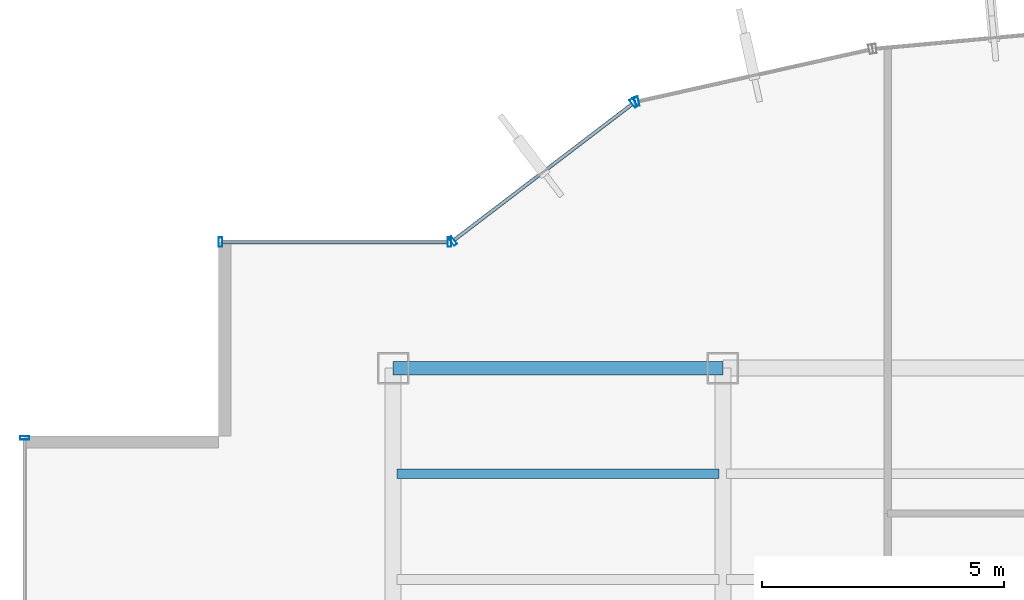
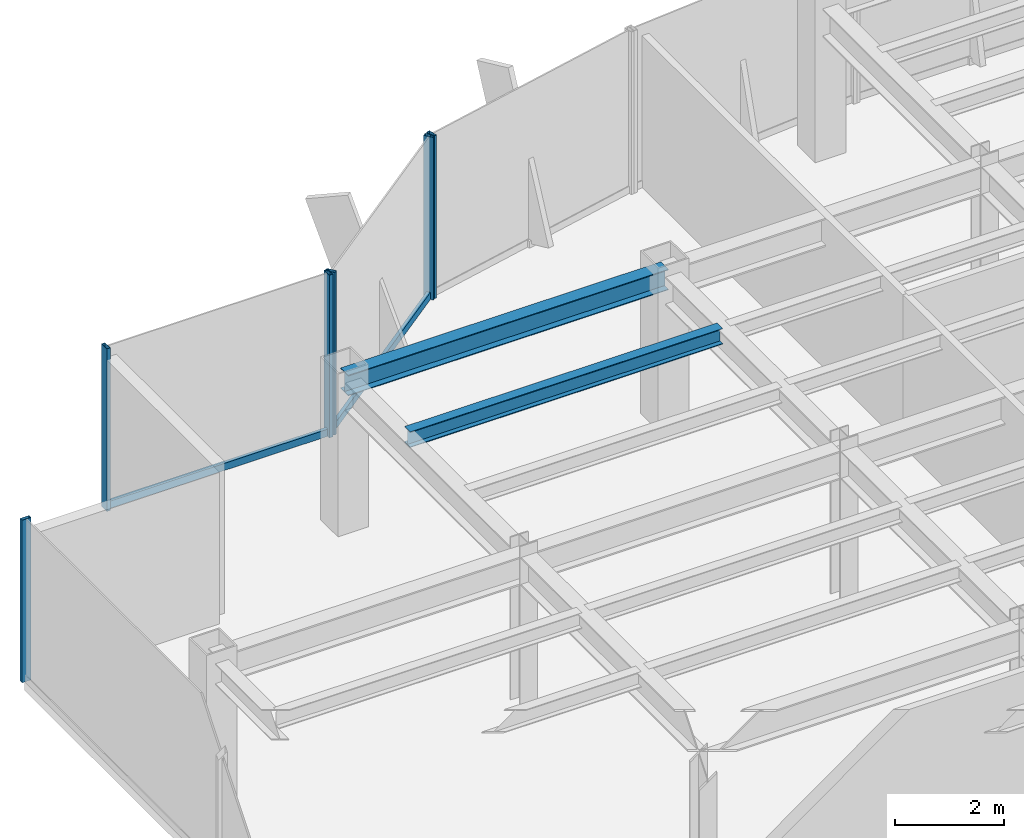
# One storey, part 14 of 25: 8 members, 2 beams, 4 elements without a shape of their own.
"""IFC4 building model written with IfcOpenShell, lengths in metres."""

from ifc_helpers import new_model, si_unit, derived_unit, direction, frame, origin, origin_2d, place, context, subcontext, project, spatial, hollow_rectangle, i_section, extrude, source, transform, mapped, material, material_profile, profile_set, type_object, element, aggregate, save


model = new_model("IFC4")

# Units and contexts
model_context = context("Model", 3, precision=1e-05, world=origin(), true_north=direction((0.0, 1.0)))
body_context = subcontext(model_context, "Body", "Model", "MODEL_VIEW")
ifc_project = project(units=[si_unit("LENGTHUNIT", "METRE"), si_unit("AREAUNIT", "SQUARE_METRE"), si_unit("VOLUMEUNIT", "CUBIC_METRE"), si_unit("PLANEANGLEUNIT", "RADIAN"), si_unit("MASSUNIT", "GRAM", prefix="KILO"), derived_unit("THERMALTRANSMITTANCEUNIT", [(si_unit("POWERUNIT", "WATT"), 1), (si_unit("LENGTHUNIT", "METRE"), -2), (si_unit("THERMODYNAMICTEMPERATUREUNIT", "KELVIN"), -1)])], contexts=[model_context])

# Site, building, storey
site_placement = place(None, origin())
site = spatial("IfcSite", under=ifc_project, at=site_placement, CompositionType="ELEMENT")
building_placement = place(site_placement, origin())
building = spatial("IfcBuilding", under=site, at=building_placement, Name="Skarnbrae Concourse Arena and Tower", CompositionType="ELEMENT")
storey_placement = place(building_placement, frame((0.0, 0.0, 147.89990234375)))
storey = spatial("IfcBuildingStorey", under=building, at=storey_placement, Name="L37", CompositionType="ELEMENT", Elevation=147.89990234375)

# Beams
ifc_material_1 = material(Name="Steel CSA G40.21 350W", Category="steel")
ifc_material_profile_1 = material_profile(ifc_material_1, i_section(OverallWidth=0.280029296875, OverallDepth=0.462890625, WebThickness=0.0107421875, FlangeThickness=0.017333984375, at=origin_2d()), Name="W460X113")
ifc_profile_set_1 = profile_set([ifc_material_profile_1], Name="Steel CSA G40.21 350W")
beam_type_1 = type_object("IfcBeamType", Name="BM-SPAN-W460X113", PredefinedType="SPANDREL", material=ifc_profile_set_1)
shared_shape_1 = source(origin(), body_context, "Body", "SweptSolid", [
    extrude(i_section(OverallWidth=0.280029296875, OverallDepth=0.462890625, WebThickness=0.0107421875, FlangeThickness=0.017333984375, at=origin_2d()), origin(), (0.0, 0.0, 1.0), 6.7998046875),
])
beam_1_placement = place(storey_placement, frame((7.60009765625, 34.39990234375, 3.168701171875), z_axis=(1.0, 0.0, 0.0), x_axis=(0.0, 1.0, 0.0)))
element("IfcBeam", 1, at=beam_1_placement, inside=storey, type_object=beam_type_1, Name="L37 Perimeter spandrel Y34.4-1", PredefinedType="SPANDREL", context=body_context, shape_type="MappedRepresentation", body=[
    mapped(shared_shape_1, transform((0.0, 0.0, 0.0))),
])
ifc_material_profile_2 = material_profile(ifc_material_1, i_section(OverallWidth=0.205078125, OverallDepth=0.35400390625, WebThickness=0.009521484375, FlangeThickness=0.016845703125, at=origin_2d()), Name="W360X79")
ifc_profile_set_2 = profile_set([ifc_material_profile_2], Name="Steel CSA G40.21 350W")
beam_type_2 = type_object("IfcBeamType", Name="BM-JOIST-W360X79", PredefinedType="JOIST", material=ifc_profile_set_2)
shared_shape_2 = source(origin(), body_context, "Body", "SweptSolid", [
    extrude(i_section(OverallWidth=0.205078125, OverallDepth=0.35400390625, WebThickness=0.009521484375, FlangeThickness=0.016845703125, at=origin_2d()), origin(), (0.0, 0.0, 1.0), 6.64013671875),
])
beam_2_placement = place(storey_placement, frame((7.679931640625, 32.221923828125, 3.22314453125), z_axis=(1.0, 0.0, 0.0), x_axis=(0.0, 1.0, 0.0)))
element("IfcBeam", 2, at=beam_2_placement, inside=storey, type_object=beam_type_2, Name="L37 Secondary floor joist 3.2.1", PredefinedType="JOIST", context=body_context, shape_type="MappedRepresentation", body=[
    mapped(shared_shape_2, transform((0.0, 0.0, 0.0))),
])

# Curtain wall, member
ifc_material_2 = material(Name="Bronze anodised aluminium 6063-T6", Category="aluminium")
curtain_wall_type = type_object("IfcCurtainWallType", Name="CW-SYS-04-MIDZONE", PredefinedType="USERDEFINED", material=ifc_material_2)
curtain_wall_1_placement = place(storey_placement, origin())
curtain_wall_1 = element("IfcCurtainWall", 3, at=curtain_wall_1_placement, inside=storey, type_object=curtain_wall_type, Name="L37 Unitised curtain wall CW-L37-E13", ObjectType="UNITISED CURTAIN WALL", PredefinedType="USERDEFINED")
ifc_material_profile_3 = material_profile(ifc_material_2, hollow_rectangle(XDim=0.074951171875, YDim=0.195068359375, WallThickness=0.00439453125, at=origin_2d()), Name="ALU-MULL-75X195")
ifc_profile_set_3 = profile_set([ifc_material_profile_3], Name="Bronze anodised aluminium 6063-T6")
member_type_1 = type_object("IfcMemberType", Name="CWM-CW-04", PredefinedType="MULLION", material=ifc_profile_set_3)
shared_shape_3 = source(origin(), body_context, "Body", "SweptSolid", [
    extrude(hollow_rectangle(XDim=0.074951171875, YDim=0.195068359375, WallThickness=0.00439453125, at=origin_2d()), origin(), (0.0, 0.0, 1.0), 3.650146484375),
])
member_1_placement = place(storey_placement, frame((12.627197265625, 39.90087890625, 0.0), z_axis=(0.0, 0.0, 1.0), x_axis=(-0.975936175393, -0.218056372433, 0.0)))
member_1 = element("IfcMember", 4, at=member_1_placement, type_object=member_type_1, Name="CW-L37-E13 Mullion 2", PredefinedType="MULLION", context=body_context, shape_type="MappedRepresentation", body=[
    mapped(shared_shape_3, transform((0.0, 0.0, 0.0))),
])
aggregate(curtain_wall_1, [member_1])

# Curtain wall, members
curtain_wall_2_placement = place(storey_placement, origin())
curtain_wall_2 = element("IfcCurtainWall", 5, at=curtain_wall_2_placement, inside=storey, type_object=curtain_wall_type, Name="L37 Unitised curtain wall CW-L37-E14", ObjectType="UNITISED CURTAIN WALL", PredefinedType="USERDEFINED")
member_2_placement = place(storey_placement, frame((12.560791015625, 39.869873046875, 0.0), z_axis=(0.0, 0.0, 1.0), x_axis=(-0.794956000706, -0.606667089054, 0.0)))
member_2 = element("IfcMember", 6, at=member_2_placement, type_object=member_type_1, Name="CW-L37-E14 Mullion 1", PredefinedType="MULLION", context=body_context, shape_type="MappedRepresentation", body=[
    mapped(shared_shape_3, transform((0.0, 0.0, 0.0))),
])
member_3_placement = place(storey_placement, frame((8.829833984375, 37.022705078125, 0.0), z_axis=(0.0, 0.0, 1.0), x_axis=(-0.794956000706, -0.606667089054, 0.0)))
member_3 = element("IfcMember", 7, at=member_3_placement, type_object=member_type_1, Name="CW-L37-E14 Mullion 2", PredefinedType="MULLION", context=body_context, shape_type="MappedRepresentation", body=[
    mapped(shared_shape_3, transform((0.0, 0.0, 0.0))),
])

curtain_wall_3_placement = place(storey_placement, origin())
curtain_wall_3 = element("IfcCurtainWall", 8, at=curtain_wall_3_placement, inside=storey, type_object=curtain_wall_type, Name="L37 Unitised curtain wall CW-L37-E15", ObjectType="UNITISED CURTAIN WALL", PredefinedType="USERDEFINED")
member_4_placement = place(storey_placement, frame((8.762451171875, 37.0, 0.0), z_axis=(0.0, 0.0, 1.0), x_axis=(-1.0, 0.0, 0.0)))
member_4 = element("IfcMember", 9, at=member_4_placement, type_object=member_type_1, Name="CW-L37-E15 Mullion 1", PredefinedType="MULLION", context=body_context, shape_type="MappedRepresentation", body=[
    mapped(shared_shape_3, transform((0.0, 0.0, 0.0))),
])
member_5_placement = place(storey_placement, frame((4.03759765625, 37.0, 0.0), z_axis=(0.0, 0.0, 1.0), x_axis=(-1.0, 0.0, 0.0)))
member_5 = element("IfcMember", 10, at=member_5_placement, type_object=member_type_1, Name="CW-L37-E15 Mullion 2", PredefinedType="MULLION", context=body_context, shape_type="MappedRepresentation", body=[
    mapped(shared_shape_3, transform((0.0, 0.0, 0.0))),
])

# Curtain wall, member
curtain_wall_4_placement = place(storey_placement, origin())
curtain_wall_4 = element("IfcCurtainWall", 11, at=curtain_wall_4_placement, inside=storey, type_object=curtain_wall_type, Name="L37 Unitised curtain wall CW-L37-E18", ObjectType="UNITISED CURTAIN WALL", PredefinedType="USERDEFINED")
member_6_placement = place(storey_placement, frame((0.0, 32.96240234375, 0.0), z_axis=(0.0, 0.0, 1.0), x_axis=(0.0, -1.0, 0.0)))
member_6 = element("IfcMember", 12, at=member_6_placement, type_object=member_type_1, Name="CW-L37-E18 Mullion 1", PredefinedType="MULLION", context=body_context, shape_type="MappedRepresentation", body=[
    mapped(shared_shape_3, transform((0.0, 0.0, 0.0))),
])
aggregate(curtain_wall_4, [member_6])

# Member
ifc_material_profile_4 = material_profile(ifc_material_2, hollow_rectangle(XDim=0.074951171875, YDim=0.159912109375, WallThickness=0.00439453125, at=origin_2d()), Name="ALU-TRAN-75X160")
ifc_profile_set_4 = profile_set([ifc_material_profile_4], Name="Bronze anodised aluminium 6063-T6")
member_type_2 = type_object("IfcMemberType", Name="CWT-CW-04", PredefinedType="USERDEFINED", material=ifc_profile_set_4)
shared_shape_4 = source(origin(), body_context, "Body", "SweptSolid", [
    extrude(hollow_rectangle(XDim=0.074951171875, YDim=0.159912109375, WallThickness=0.00439453125, at=origin_2d()), origin(), (0.0, 0.0, 1.0), 4.650146484375),
])
member_7_placement = place(storey_placement, frame((8.72509765625, 37.0, 0.080078125), z_axis=(-1.0, 0.0, 0.0), x_axis=(0.0, -1.0, 0.0)))
member_7 = element("IfcMember", 13, at=member_7_placement, type_object=member_type_2, Name="CW-L37-E15 Transom 1", ObjectType="TRANSOM", PredefinedType="USERDEFINED", context=body_context, shape_type="MappedRepresentation", body=[
    mapped(shared_shape_4, transform((0.0, 0.0, 0.0))),
])

aggregate(curtain_wall_3, [member_4, member_5, member_7])

shared_shape_5 = source(origin(), body_context, "Body", "SweptSolid", [
    extrude(hollow_rectangle(XDim=0.074951171875, YDim=0.159912109375, WallThickness=0.00439453125, at=origin_2d()), origin(), (0.0, 0.0, 1.0), 4.618408203125),
])
member_8_placement = place(storey_placement, frame((12.531005859375, 39.84716796875, 0.080078125), z_axis=(-0.794960638756, -0.606661011462, 0.0), x_axis=(0.606661011462, -0.794960638756, 0.0)))
member_8 = element("IfcMember", 14, at=member_8_placement, type_object=member_type_2, Name="CW-L37-E14 Transom 1", ObjectType="TRANSOM", PredefinedType="USERDEFINED", context=body_context, shape_type="MappedRepresentation", body=[
    mapped(shared_shape_5, transform((0.0, 0.0, 0.0))),
])

aggregate(curtain_wall_2, [member_2, member_3, member_8])

save(model, "model.ifc")
